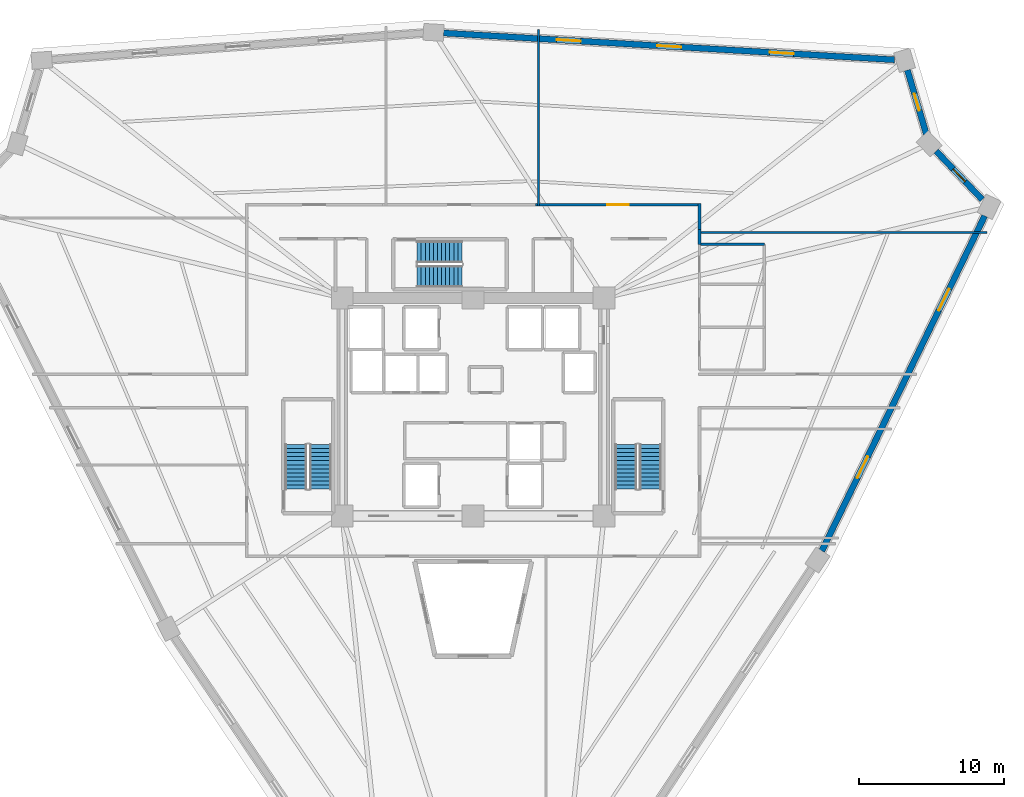
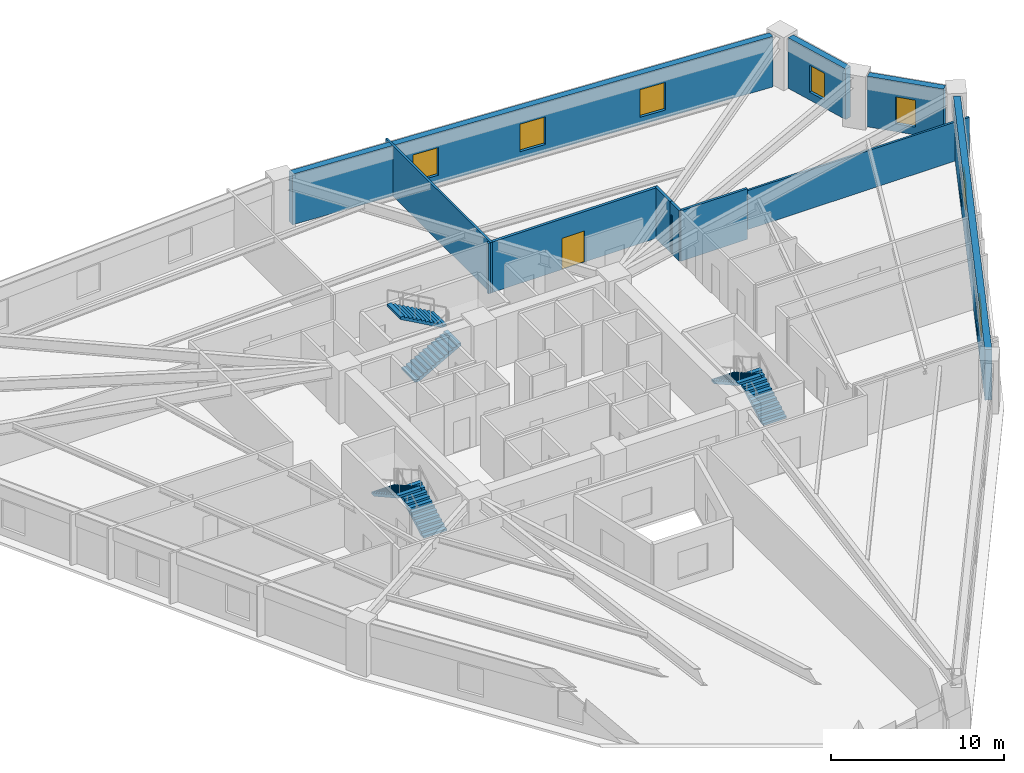
# One storey, part 7 of 8: 10 walls, 7 windows, 6 stair flights, 1 door, 8 openings, 3 elements without a shape of their own.
"""IFC4 building model written with IfcOpenShell, lengths in metres."""

from ifc_helpers import new_model, si_unit, direction, frame, frame_2d, origin, place, context, subcontext, project, spatial, polyline, rectangle, outline, extrude, source, transform, mapped, material, layer, layer_set, type_object, element, fill, aggregate, save


model = new_model("IFC4")

# Units and contexts
model_context = context("Model", 3, precision=1e-05, world=origin(), true_north=direction((0.0, 1.0)))
body_context = subcontext(model_context, "Body", "Model", "MODEL_VIEW")
ifc_project = project(units=[si_unit("LENGTHUNIT", "METRE"), si_unit("AREAUNIT", "SQUARE_METRE"), si_unit("VOLUMEUNIT", "CUBIC_METRE"), si_unit("PLANEANGLEUNIT", "RADIAN"), si_unit("MASSUNIT", "GRAM", prefix="KILO")], contexts=[model_context])

# Site, building, storey
site_placement = place(None, origin())
site = spatial("IfcSite", under=ifc_project, at=site_placement, CompositionType="ELEMENT")
building_placement = place(site_placement, origin())
building = spatial("IfcBuilding", under=site, at=building_placement, Name="Liaohun Quay Tower", CompositionType="ELEMENT")
storey_placement = place(building_placement, frame((0.0, 0.0, 147.75)))
storey = spatial("IfcBuildingStorey", under=building, at=storey_placement, Name="L38", CompositionType="ELEMENT", Elevation=147.75)

# Wall, openings, windows
ifc_material_1 = material(Name="Precast concrete C50 insulated sandwich", Category="concrete")
ifc_layer_1 = layer(ifc_material_1, 0.419921875, Name="Precast concrete C50 insulated sandwich", Category="concrete")
ifc_layer_set_1 = layer_set([ifc_layer_1], Name="Precast concrete C50 insulated sandwich")
wall_type_1 = type_object("IfcWallType", Name="WAL-EXT-Z12", PredefinedType="SOLIDWALL", material=ifc_layer_set_1)
wall_1_placement = place(storey_placement, frame((83.968017578125, 44.10205078125, 0.0), z_axis=(0.0, 0.0, 1.0), x_axis=(0.437237241279, 0.899346204105, 0.0)))
wall_1 = element("IfcWall", 1, at=wall_1_placement, inside=storey, type_object=wall_type_1, Name="L38 Brutalist Precast Pier Wall 03", PredefinedType="SOLIDWALL", context=body_context, shape_type="SweptSolid", body=[
    extrude(rectangle(XDim=25.61962890625, YDim=0.419921875, at=frame_2d((12.809814453125, 0.0))), origin(), (0.0, 0.0, 1.0), 3.570068359375),
])
shared_shape_1 = source(origin(), body_context, "Body", "SweptSolid", [
    extrude(rectangle(XDim=1.64990234375, YDim=1.949951171875, at=frame_2d((0.824951171875, 0.97509765625))), frame((0.0, 0.219970703125, 0.0), z_axis=(0.0, -1.0, 0.0), x_axis=(1.0, 0.0, 0.0)), (0.0, 0.0, 1.0), 0.43994140625),
])
opening_1_placement = place(wall_1_placement, frame((5.580078125, 0.0, 0.550048828125)))
opening_1 = element("IfcOpeningElement", 2, at=opening_1_placement, cuts=wall_1, Name="Opening W02", PredefinedType="OPENING", context=body_context, shape_type="MappedRepresentation", body=[
    mapped(shared_shape_1, transform((0.0, 0.0, 0.0), x_axis=(1.0, 0.0, 0.0), y_axis=(0.0, 1.0, 0.0), z_axis=(0.0, 0.0, 1.0), scale=1.0)),
])
opening_2_placement = place(wall_1_placement, frame((18.389892578125, 0.0, 0.550048828125)))
opening_2 = element("IfcOpeningElement", 3, at=opening_2_placement, cuts=wall_1, Name="Opening W02", PredefinedType="OPENING", context=body_context, shape_type="MappedRepresentation", body=[
    mapped(shared_shape_1, transform((0.0, 0.0, 0.0), x_axis=(1.0, 0.0, 0.0), y_axis=(0.0, 1.0, 0.0), z_axis=(0.0, 0.0, 1.0), scale=1.0)),
])
ifc_material_2 = material(Name="Triple Low-E argon glazing in thermally broken aluminium", Category="aluminium")
window_type_1 = type_object("IfcWindowType", Name="WIN-PUN-Z2", PartitioningType="DOUBLE_PANEL_VERTICAL", PredefinedType="WINDOW", material=ifc_material_2)
shared_shape_2 = source(origin(), body_context, "Body", "SweptSolid", [
    extrude(rectangle(XDim=1.64990234375, YDim=1.949951171875, at=frame_2d((0.824951171875, 0.97509765625))), frame((0.0, 0.030029296875, 0.0), z_axis=(0.0, -1.0, 0.0), x_axis=(1.0, 0.0, 0.0)), (0.0, 0.0, 1.0), 0.06005859375),
])
window_1_placement = place(opening_1_placement, origin())
window_1 = element("IfcWindow", 4, at=window_1_placement, inside=storey, type_object=window_type_1, Name="L38 Recessed Cold-Climate Punched Window 03-1", OverallHeight=1.949951171875, OverallWidth=1.64990234375, PartitioningType="DOUBLE_PANEL_VERTICAL", PredefinedType="WINDOW", context=body_context, shape_type="MappedRepresentation", body=[
    mapped(shared_shape_2, transform((0.0, 0.0, 0.0), x_axis=(1.0, 0.0, 0.0), y_axis=(0.0, 1.0, 0.0), z_axis=(0.0, 0.0, 1.0), scale=1.0)),
])
fill(opening_1, window_1)
window_2_placement = place(opening_2_placement, origin())
window_2 = element("IfcWindow", 5, at=window_2_placement, inside=storey, type_object=window_type_1, Name="L38 Recessed Cold-Climate Punched Window 03-3", OverallHeight=1.949951171875, OverallWidth=1.64990234375, PartitioningType="DOUBLE_PANEL_VERTICAL", PredefinedType="WINDOW", context=body_context, shape_type="MappedRepresentation", body=[
    mapped(shared_shape_2, transform((0.0, 0.0, 0.0), x_axis=(1.0, 0.0, 0.0), y_axis=(0.0, 1.0, 0.0), z_axis=(0.0, 0.0, 1.0), scale=1.0)),
])
fill(opening_2, window_2)

# Wall, opening, window
wall_2_placement = place(storey_placement, frame((94.99609375, 68.263916015625, 0.0), z_axis=(0.0, 0.0, 1.0), x_axis=(-0.689168939428, 0.724600698956, 0.0)))
wall_2 = element("IfcWall", 6, at=wall_2_placement, inside=storey, type_object=wall_type_1, Name="L38 Brutalist Precast Pier Wall 04", PredefinedType="SOLIDWALL", context=body_context, shape_type="SweptSolid", body=[
    extrude(rectangle(XDim=4.602783203125, YDim=0.419921875, at=frame_2d((2.30126953125, 0.0))), origin(), (0.0, 0.0, 1.0), 3.570068359375),
])
shared_shape_3 = source(origin(), body_context, "Body", "SweptSolid", [
    extrude(rectangle(XDim=1.199951171875, YDim=1.89990234375, at=frame_2d((0.60009765625, 0.949951171875))), frame((0.0, 0.219970703125, 0.0), z_axis=(0.0, -1.0, 0.0), x_axis=(1.0, 0.0, 0.0)), (0.0, 0.0, 1.0), 0.43994140625),
])
opening_3_placement = place(wall_2_placement, frame((1.700927734375, 0.0, 0.550048828125)))
opening_3 = element("IfcOpeningElement", 7, at=opening_3_placement, cuts=wall_2, Name="Opening W05", PredefinedType="OPENING", context=body_context, shape_type="MappedRepresentation", body=[
    mapped(shared_shape_3, transform((0.0, 0.0, 0.0), x_axis=(1.0, 0.0, 0.0), y_axis=(0.0, 1.0, 0.0), z_axis=(0.0, 0.0, 1.0), scale=1.0)),
])
ifc_material_3 = material(Name="Triple Low-E corner notch glazing", Category="glass")
window_type_2 = type_object("IfcWindowType", Name="WIN-NOTCH", PartitioningType="SINGLE_PANEL", PredefinedType="WINDOW", material=ifc_material_3)
shared_shape_4 = source(origin(), body_context, "Body", "SweptSolid", [
    extrude(rectangle(XDim=1.199951171875, YDim=1.89990234375, at=frame_2d((0.60009765625, 0.949951171875))), frame((0.0, 0.030029296875, 0.0), z_axis=(0.0, -1.0, 0.0), x_axis=(1.0, 0.0, 0.0)), (0.0, 0.0, 1.0), 0.06005859375),
])
window_3_placement = place(opening_3_placement, origin())
window_3 = element("IfcWindow", 8, at=window_3_placement, inside=storey, type_object=window_type_2, Name="L38 Corner Notch Window W05-04", OverallHeight=1.89990234375, OverallWidth=1.199951171875, PartitioningType="SINGLE_PANEL", PredefinedType="WINDOW", context=body_context, shape_type="MappedRepresentation", body=[
    mapped(shared_shape_4, transform((0.0, 0.0, 0.0), x_axis=(1.0, 0.0, 0.0), y_axis=(0.0, 1.0, 0.0), z_axis=(0.0, 0.0, 1.0), scale=1.0)),
])
fill(opening_3, window_3)

wall_3_placement = place(storey_placement, frame((91.153076171875, 72.760986328125, 0.0), z_axis=(0.0, 0.0, 1.0), x_axis=(-0.2829429476, 0.959136741244, 0.0)))
wall_3 = element("IfcWall", 9, at=wall_3_placement, inside=storey, type_object=wall_type_1, Name="L38 Brutalist Precast Pier Wall 05", PredefinedType="SOLIDWALL", context=body_context, shape_type="SweptSolid", body=[
    extrude(rectangle(XDim=4.5947265625, YDim=0.419921875, at=frame_2d((2.29736328125, 0.0))), origin(), (0.0, 0.0, 1.0), 3.570068359375),
])
opening_4_placement = place(wall_3_placement, frame((1.697021484375, 0.0, 0.550048828125)))
opening_4 = element("IfcOpeningElement", 10, at=opening_4_placement, cuts=wall_3, Name="Opening W05", PredefinedType="OPENING", context=body_context, shape_type="MappedRepresentation", body=[
    mapped(shared_shape_3, transform((0.0, 0.0, 0.0), x_axis=(1.0, 0.0, 0.0), y_axis=(0.0, 1.0, 0.0), z_axis=(0.0, 0.0, 1.0), scale=1.0)),
])
window_4_placement = place(opening_4_placement, origin())
window_4 = element("IfcWindow", 11, at=window_4_placement, inside=storey, type_object=window_type_2, Name="L38 Corner Notch Window W05-05", OverallHeight=1.89990234375, OverallWidth=1.199951171875, PartitioningType="SINGLE_PANEL", PredefinedType="WINDOW", context=body_context, shape_type="MappedRepresentation", body=[
    mapped(shared_shape_4, transform((0.0, 0.0, 0.0), x_axis=(1.0, 0.0, 0.0), y_axis=(0.0, 1.0, 0.0), z_axis=(0.0, 0.0, 1.0), scale=1.0)),
])
fill(opening_4, window_4)

# Wall, openings, windows
wall_4_placement = place(storey_placement, frame((88.968994140625, 77.87109375, 0.0), z_axis=(0.0, 0.0, 1.0), x_axis=(-0.998239939478, 0.059304495869, 0.0)))
wall_4 = element("IfcWall", 12, at=wall_4_placement, inside=storey, type_object=wall_type_1, Name="L38 Brutalist Precast Pier Wall 06", PredefinedType="SOLIDWALL", context=body_context, shape_type="SweptSolid", body=[
    extrude(rectangle(XDim=31.056640625, YDim=0.419921875, at=frame_2d((15.5283203125, 0.0))), origin(), (0.0, 0.0, 1.0), 3.570068359375),
])
opening_5_placement = place(wall_4_placement, frame((6.93896484375, 0.0, 0.550048828125)))
opening_5 = element("IfcOpeningElement", 13, at=opening_5_placement, cuts=wall_4, Name="Opening W02", PredefinedType="OPENING", context=body_context, shape_type="MappedRepresentation", body=[
    mapped(shared_shape_1, transform((0.0, 0.0, 0.0), x_axis=(1.0, 0.0, 0.0), y_axis=(0.0, 1.0, 0.0), z_axis=(0.0, 0.0, 1.0), scale=1.0)),
])
opening_6_placement = place(wall_4_placement, frame((14.702880859375, 0.0, 0.550048828125)))
opening_6 = element("IfcOpeningElement", 14, at=opening_6_placement, cuts=wall_4, Name="Opening W02", PredefinedType="OPENING", context=body_context, shape_type="MappedRepresentation", body=[
    mapped(shared_shape_1, transform((0.0, 0.0, 0.0), x_axis=(1.0, 0.0, 0.0), y_axis=(0.0, 1.0, 0.0), z_axis=(0.0, 0.0, 1.0), scale=1.0)),
])
opening_7_placement = place(wall_4_placement, frame((21.617919921875, 0.0, 0.550048828125)))
opening_7 = element("IfcOpeningElement", 15, at=opening_7_placement, cuts=wall_4, Name="Opening W02", PredefinedType="OPENING", context=body_context, shape_type="MappedRepresentation", body=[
    mapped(shared_shape_1, transform((0.0, 0.0, 0.0), x_axis=(1.0, 0.0, 0.0), y_axis=(0.0, 1.0, 0.0), z_axis=(0.0, 0.0, 1.0), scale=1.0)),
])
window_5_placement = place(opening_5_placement, origin())
window_5 = element("IfcWindow", 16, at=window_5_placement, inside=storey, type_object=window_type_1, Name="L38 Recessed Cold-Climate Punched Window 06-1", OverallHeight=1.949951171875, OverallWidth=1.64990234375, PartitioningType="DOUBLE_PANEL_VERTICAL", PredefinedType="WINDOW", context=body_context, shape_type="MappedRepresentation", body=[
    mapped(shared_shape_2, transform((0.0, 0.0, 0.0), x_axis=(1.0, 0.0, 0.0), y_axis=(0.0, 1.0, 0.0), z_axis=(0.0, 0.0, 1.0), scale=1.0)),
])
fill(opening_5, window_5)
window_6_placement = place(opening_6_placement, origin())
window_6 = element("IfcWindow", 17, at=window_6_placement, inside=storey, type_object=window_type_1, Name="L38 Recessed Cold-Climate Punched Window 06-2", OverallHeight=1.949951171875, OverallWidth=1.64990234375, PartitioningType="DOUBLE_PANEL_VERTICAL", PredefinedType="WINDOW", context=body_context, shape_type="MappedRepresentation", body=[
    mapped(shared_shape_2, transform((0.0, 0.0, 0.0), x_axis=(1.0, 0.0, 0.0), y_axis=(0.0, 1.0, 0.0), z_axis=(0.0, 0.0, 1.0), scale=1.0)),
])
fill(opening_6, window_6)
window_7_placement = place(opening_7_placement, origin())
window_7 = element("IfcWindow", 18, at=window_7_placement, inside=storey, type_object=window_type_1, Name="L38 Recessed Cold-Climate Punched Window 06-3", OverallHeight=1.949951171875, OverallWidth=1.64990234375, PartitioningType="DOUBLE_PANEL_VERTICAL", PredefinedType="WINDOW", context=body_context, shape_type="MappedRepresentation", body=[
    mapped(shared_shape_2, transform((0.0, 0.0, 0.0), x_axis=(1.0, 0.0, 0.0), y_axis=(0.0, 1.0, 0.0), z_axis=(0.0, 0.0, 1.0), scale=1.0)),
])
fill(opening_7, window_7)

# Wall, opening, door
ifc_material_4 = material(Name="Autoclaved aerated concrete blockwork", Category="masonry")
ifc_layer_2 = layer(ifc_material_4, 0.179931640625, Name="Autoclaved aerated concrete blockwork", Category="masonry")
ifc_layer_set_2 = layer_set([ifc_layer_2], Name="Autoclaved aerated concrete blockwork")
wall_type_2 = type_object("IfcWallType", Name="WAL-PRT-COR", PredefinedType="PARTITIONING", material=ifc_layer_set_2)
wall_5_placement = place(storey_placement, frame((64.284912109375, 67.909912109375, 0.0), z_axis=(0.0, 0.0, 1.0), x_axis=(1.0, 0.0, 0.0)))
wall_5 = element("IfcWall", 19, at=wall_5_placement, inside=storey, type_object=wall_type_2, Name="L38 Interior Partition Wall 012", PredefinedType="PARTITIONING", context=body_context, shape_type="SweptSolid", body=[
    extrude(rectangle(XDim=11.344970703125, YDim=0.179931640625, at=frame_2d((5.67236328125, 0.0))), origin(), (0.0, 0.0, 1.0), 3.570068359375),
])
shared_shape_5 = source(origin(), body_context, "Body", "SweptSolid", [
    extrude(rectangle(XDim=1.5, YDim=2.199951171875, at=frame_2d((0.75, 1.10009765625))), frame((0.0, 0.099853515625, 0.0), z_axis=(0.0, -1.0, 0.0), x_axis=(1.0, 0.0, 0.0)), (0.0, 0.0, 1.0), 0.199951171875),
])
opening_8_placement = place(wall_5_placement, frame((4.922119140625, 0.0, 0.0)))
opening_8 = element("IfcOpeningElement", 20, at=opening_8_placement, cuts=wall_5, Name="Opening OD2", PredefinedType="OPENING", context=body_context, shape_type="MappedRepresentation", body=[
    mapped(shared_shape_5, transform((0.0, 0.0, 0.0), x_axis=(1.0, 0.0, 0.0), y_axis=(0.0, 1.0, 0.0), z_axis=(0.0, 0.0, 1.0), scale=1.0)),
])
ifc_material_5 = material(Name="Acoustic oak veneer double door")
door_type = type_object("IfcDoorType", Name="DOR-OFF-1500", OperationType="DOUBLE_DOOR_SINGLE_SWING", PredefinedType="DOOR", material=ifc_material_5)
shared_shape_6 = source(origin(), body_context, "Body", "SweptSolid", [
    extrude(rectangle(XDim=1.5, YDim=2.199951171875, at=frame_2d((0.75, 1.10009765625))), frame((0.0, 0.02490234375, 0.0), z_axis=(0.0, -1.0, 0.0), x_axis=(1.0, 0.0, 0.0)), (0.0, 0.0, 1.0), 0.050048828125),
])
door_placement = place(opening_8_placement, origin())
door = element("IfcDoor", 21, at=door_placement, inside=storey, type_object=door_type, Name="L38 Occupational Wellness Clinic 02 Door", OperationType="DOUBLE_DOOR_SINGLE_SWING", OverallHeight=2.199951171875, OverallWidth=1.5, PredefinedType="DOOR", context=body_context, shape_type="MappedRepresentation", body=[
    mapped(shared_shape_6, transform((0.0, 0.0, 0.0), x_axis=(1.0, 0.0, 0.0), y_axis=(0.0, 1.0, 0.0), z_axis=(0.0, 0.0, 1.0), scale=1.0)),
])
fill(opening_8, door)

# Walls
wall_6_placement = place(storey_placement, frame((75.56005859375, 66.215087890625, 0.0), z_axis=(0.0, 0.0, 1.0), x_axis=(0.0, -1.0, 0.0)))
element("IfcWall", 22, at=wall_6_placement, inside=storey, type_object=wall_type_2, Name="L38 Interior Partition Wall 036", PredefinedType="PARTITIONING", context=body_context, shape_type="SweptSolid", body=[
    extrude(rectangle(XDim=1.03515625, YDim=0.179931640625, at=frame_2d((0.517578125, 0.0))), origin(), (0.0, 0.0, 1.0), 3.570068359375),
])
wall_7_placement = place(storey_placement, frame((75.56005859375, 67.97998046875, 0.0), z_axis=(0.0, 0.0, 1.0), x_axis=(0.0, -1.0, 0.0)))
element("IfcWall", 23, at=wall_7_placement, inside=storey, type_object=wall_type_2, Name="L38 Interior Partition Wall 037", PredefinedType="PARTITIONING", context=body_context, shape_type="SweptSolid", body=[
    extrude(rectangle(XDim=1.764892578125, YDim=0.179931640625, at=frame_2d((0.88232421875, 0.0))), origin(), (0.0, 0.0, 1.0), 3.570068359375),
])
ifc_material_6 = material(Name="Gypsum board on twin steel studs", Category="steel")
ifc_layer_3 = layer(ifc_material_6, 0.139892578125, Name="Gypsum board on twin steel studs", Category="steel")
ifc_layer_set_3 = layer_set([ifc_layer_3], Name="Gypsum board on twin steel studs")
wall_type_3 = type_object("IfcWallType", Name="WAL-PRT-OFF", PredefinedType="PARTITIONING", material=ifc_layer_set_3)
wall_8_placement = place(storey_placement, frame((75.4599609375, 66.0, 0.0), z_axis=(0.0, 0.0, 1.0), x_axis=(1.0, 0.0, 0.0)))
element("IfcWall", 24, at=wall_8_placement, inside=storey, type_object=wall_type_3, Name="L38 Interior Partition Wall 050", PredefinedType="PARTITIONING", context=body_context, shape_type="SweptSolid", body=[
    extrude(rectangle(XDim=19.85400390625, YDim=0.139892578125, at=frame_2d((9.927001953125, 0.0))), origin(), (0.0, 0.0, 1.0), 2.7548828125),
])
wall_9_placement = place(storey_placement, frame((64.5, 67.81005859375, 0.0), z_axis=(0.0, 0.0, 1.0), x_axis=(0.0, 1.0, 0.0)))
element("IfcWall", 25, at=wall_9_placement, inside=storey, type_object=wall_type_3, Name="L38 Interior Partition Wall 052", PredefinedType="PARTITIONING", context=body_context, shape_type="SweptSolid", body=[
    extrude(rectangle(XDim=12.14599609375, YDim=0.139892578125, at=frame_2d((6.072998046875, 0.0))), origin(), (0.0, 0.0, 1.0), 3.570068359375),
])
ifc_material_7 = material(Name="Moisture-resistant masonry blockwork", Category="masonry")
ifc_layer_4 = layer(ifc_material_7, 0.159912109375, Name="Moisture-resistant masonry blockwork", Category="masonry")
ifc_layer_set_4 = layer_set([ifc_layer_4], Name="Moisture-resistant masonry blockwork")
wall_type_4 = type_object("IfcWallType", Name="WAL-PRT-WET", PredefinedType="PARTITIONING", material=ifc_layer_set_4)
wall_10_placement = place(storey_placement, frame((75.56005859375, 65.179931640625, 0.0), z_axis=(0.0, 0.0, 1.0), x_axis=(1.0, 0.0, 0.0)))
element("IfcWall", 26, at=wall_10_placement, inside=storey, type_object=wall_type_4, Name="L38 Interior Partition Wall 031", PredefinedType="PARTITIONING", context=body_context, shape_type="SweptSolid", body=[
    extrude(rectangle(XDim=4.4599609375, YDim=0.159912109375, at=frame_2d((2.22998046875, 0.0))), origin(), (0.0, 0.0, 1.0), 3.570068359375),
])

# Stair, stair flights
ifc_material_8 = material(Name="Concrete C45", Category="concrete")
stair_type = type_object("IfcStairType", Name="STR-CORE-OFF", PredefinedType="HALF_TURN_STAIR", material=ifc_material_8)
stair_1_placement = place(storey_placement, origin())
stair_1 = element("IfcStair", 27, at=stair_1_placement, inside=storey, type_object=stair_type, Name="L38 Smokeproof Core Exit Stair ST-1", PredefinedType="HALF_TURN_STAIR")
stair_flight_type = type_object("IfcStairFlightType", Name="FLT-CORE-155", PredefinedType="STRAIGHT", material=ifc_material_8)
stair_flight_1_placement = place(storey_placement, frame((49.5048828125, 48.35009765625, 0.0), z_axis=(0.0, 0.0, 1.0), x_axis=(0.0, 1.0, 0.0)))
stair_flight_1 = element("IfcStairFlight", 28, at=stair_flight_1_placement, type_object=stair_flight_type, Name="ST-1 flight 1", NumberOfRisers=12, NumberOfTreads=11, PredefinedType="STRAIGHT", RiserHeight=0.15625, TreadLength=0.28, context=body_context, shape_type="SweptSolid", body=[
    extrude(outline(polyline([(0.0, 0.0), (0.0, 0.15625), (0.280029296875, 0.15625), (0.280029296875, 0.3125), (0.56005859375, 0.3125), (0.56005859375, 0.46875), (0.840087890625, 0.46875), (0.840087890625, 0.625), (1.1201171875, 0.625), (1.1201171875, 0.78125), (1.39990234375, 0.78125), (1.39990234375, 0.9375), (1.679931640625, 0.9375), (1.679931640625, 1.09375), (1.9599609375, 1.09375), (1.9599609375, 1.25), (2.239990234375, 1.25), (2.239990234375, 1.40625), (2.52001953125, 1.40625), (2.52001953125, 1.5625), (2.800048828125, 1.5625), (2.800048828125, 1.71875), (3.080078125, 1.71875), (3.080078125, 1.875), (3.080078125, 1.547119140625), (0.3076171875, 0.0), (0.0, 0.0)])), frame((0.0, 0.77490234375, 0.0), z_axis=(0.0, -1.0, 0.0), x_axis=(1.0, 0.0, 0.0)), (0.0, 0.0, 1.0), 1.550048828125),
])
stair_flight_2_placement = place(storey_placement, frame((47.81494140625, 51.429931640625, 1.875), z_axis=(0.0, 0.0, 1.0), x_axis=(0.0, -1.0, 0.0)))
stair_flight_2 = element("IfcStairFlight", 29, at=stair_flight_2_placement, type_object=stair_flight_type, Name="ST-1 flight 2", NumberOfRisers=12, NumberOfTreads=11, PredefinedType="STRAIGHT", RiserHeight=0.15625, TreadLength=0.28, context=body_context, shape_type="SweptSolid", body=[
    extrude(outline(polyline([(0.0, 0.0), (0.0, 0.15625), (0.280029296875, 0.15625), (0.280029296875, 0.3125), (0.56005859375, 0.3125), (0.56005859375, 0.46875), (0.840087890625, 0.46875), (0.840087890625, 0.625), (1.1201171875, 0.625), (1.1201171875, 0.78125), (1.39990234375, 0.78125), (1.39990234375, 0.9375), (1.679931640625, 0.9375), (1.679931640625, 1.09375), (1.9599609375, 1.09375), (1.9599609375, 1.25), (2.239990234375, 1.25), (2.239990234375, 1.40625), (2.52001953125, 1.40625), (2.52001953125, 1.5625), (2.800048828125, 1.5625), (2.800048828125, 1.71875), (3.080078125, 1.71875), (3.080078125, 1.875), (3.080078125, 1.547119140625), (0.3076171875, 0.0), (0.0, 0.0)])), frame((0.0, 0.77490234375, 0.0), z_axis=(0.0, -1.0, 0.0), x_axis=(1.0, 0.0, 0.0)), (0.0, 0.0, 1.0), 1.550048828125),
])
aggregate(stair_1, [stair_flight_1, stair_flight_2])

stair_2_placement = place(storey_placement, origin())
stair_2 = element("IfcStair", 30, at=stair_2_placement, inside=storey, type_object=stair_type, Name="L38 Smokeproof Core Exit Stair ST-2", PredefinedType="HALF_TURN_STAIR")
stair_flight_3_placement = place(storey_placement, frame((72.18505859375, 48.35009765625, 0.0), z_axis=(0.0, 0.0, 1.0), x_axis=(0.0, 1.0, 0.0)))
stair_flight_3 = element("IfcStairFlight", 31, at=stair_flight_3_placement, type_object=stair_flight_type, Name="ST-2 flight 1", NumberOfRisers=12, NumberOfTreads=11, PredefinedType="STRAIGHT", RiserHeight=0.15625, TreadLength=0.28, context=body_context, shape_type="SweptSolid", body=[
    extrude(outline(polyline([(0.0, 0.0), (0.0, 0.15625), (0.280029296875, 0.15625), (0.280029296875, 0.3125), (0.56005859375, 0.3125), (0.56005859375, 0.46875), (0.840087890625, 0.46875), (0.840087890625, 0.625), (1.1201171875, 0.625), (1.1201171875, 0.78125), (1.39990234375, 0.78125), (1.39990234375, 0.9375), (1.679931640625, 0.9375), (1.679931640625, 1.09375), (1.9599609375, 1.09375), (1.9599609375, 1.25), (2.239990234375, 1.25), (2.239990234375, 1.40625), (2.52001953125, 1.40625), (2.52001953125, 1.5625), (2.800048828125, 1.5625), (2.800048828125, 1.71875), (3.080078125, 1.71875), (3.080078125, 1.875), (3.080078125, 1.547119140625), (0.3076171875, 0.0), (0.0, 0.0)])), frame((0.0, 0.77490234375, 0.0), z_axis=(0.0, -1.0, 0.0), x_axis=(1.0, 0.0, 0.0)), (0.0, 0.0, 1.0), 1.550048828125),
])
stair_flight_4_placement = place(storey_placement, frame((70.4951171875, 51.429931640625, 1.875), z_axis=(0.0, 0.0, 1.0), x_axis=(0.0, -1.0, 0.0)))
stair_flight_4 = element("IfcStairFlight", 32, at=stair_flight_4_placement, type_object=stair_flight_type, Name="ST-2 flight 2", NumberOfRisers=12, NumberOfTreads=11, PredefinedType="STRAIGHT", RiserHeight=0.15625, TreadLength=0.28, context=body_context, shape_type="SweptSolid", body=[
    extrude(outline(polyline([(0.0, 0.0), (0.0, 0.15625), (0.280029296875, 0.15625), (0.280029296875, 0.3125), (0.56005859375, 0.3125), (0.56005859375, 0.46875), (0.840087890625, 0.46875), (0.840087890625, 0.625), (1.1201171875, 0.625), (1.1201171875, 0.78125), (1.39990234375, 0.78125), (1.39990234375, 0.9375), (1.679931640625, 0.9375), (1.679931640625, 1.09375), (1.9599609375, 1.09375), (1.9599609375, 1.25), (2.239990234375, 1.25), (2.239990234375, 1.40625), (2.52001953125, 1.40625), (2.52001953125, 1.5625), (2.800048828125, 1.5625), (2.800048828125, 1.71875), (3.080078125, 1.71875), (3.080078125, 1.875), (3.080078125, 1.547119140625), (0.3076171875, 0.0), (0.0, 0.0)])), frame((0.0, 0.77490234375, 0.0), z_axis=(0.0, -1.0, 0.0), x_axis=(1.0, 0.0, 0.0)), (0.0, 0.0, 1.0), 1.550048828125),
])
aggregate(stair_2, [stair_flight_3, stair_flight_4])

stair_3_placement = place(storey_placement, origin())
stair_3 = element("IfcStair", 33, at=stair_3_placement, inside=storey, type_object=stair_type, Name="L38 Smokeproof Core Exit Stair ST-3", PredefinedType="HALF_TURN_STAIR")
stair_flight_5_placement = place(storey_placement, frame((56.14990234375, 62.97509765625, 0.0), z_axis=(0.0, 0.0, 1.0), x_axis=(1.0, 0.0, 0.0)))
stair_flight_5 = element("IfcStairFlight", 34, at=stair_flight_5_placement, type_object=stair_flight_type, Name="ST-3 flight 1", NumberOfRisers=12, NumberOfTreads=11, PredefinedType="STRAIGHT", RiserHeight=0.15625, TreadLength=0.28, context=body_context, shape_type="SweptSolid", body=[
    extrude(outline(polyline([(0.0, 0.0), (0.0, 0.15625), (0.280029296875, 0.15625), (0.280029296875, 0.3125), (0.56005859375, 0.3125), (0.56005859375, 0.46875), (0.840087890625, 0.46875), (0.840087890625, 0.625), (1.1201171875, 0.625), (1.1201171875, 0.78125), (1.39990234375, 0.78125), (1.39990234375, 0.9375), (1.679931640625, 0.9375), (1.679931640625, 1.09375), (1.9599609375, 1.09375), (1.9599609375, 1.25), (2.239990234375, 1.25), (2.239990234375, 1.40625), (2.52001953125, 1.40625), (2.52001953125, 1.5625), (2.800048828125, 1.5625), (2.800048828125, 1.71875), (3.080078125, 1.71875), (3.080078125, 1.875), (3.080078125, 1.547119140625), (0.3076171875, 0.0), (0.0, 0.0)])), frame((0.0, 0.77490234375, 0.0), z_axis=(0.0, -1.0, 0.0), x_axis=(1.0, 0.0, 0.0)), (0.0, 0.0, 1.0), 1.550048828125),
])
stair_flight_6_placement = place(storey_placement, frame((59.22998046875, 64.6650390625, 1.875), z_axis=(0.0, 0.0, 1.0), x_axis=(-1.0, 0.0, 0.0)))
stair_flight_6 = element("IfcStairFlight", 35, at=stair_flight_6_placement, type_object=stair_flight_type, Name="ST-3 flight 2", NumberOfRisers=12, NumberOfTreads=11, PredefinedType="STRAIGHT", RiserHeight=0.15625, TreadLength=0.28, context=body_context, shape_type="SweptSolid", body=[
    extrude(outline(polyline([(0.0, 0.0), (0.0, 0.15625), (0.280029296875, 0.15625), (0.280029296875, 0.3125), (0.56005859375, 0.3125), (0.56005859375, 0.46875), (0.840087890625, 0.46875), (0.840087890625, 0.625), (1.1201171875, 0.625), (1.1201171875, 0.78125), (1.39990234375, 0.78125), (1.39990234375, 0.9375), (1.679931640625, 0.9375), (1.679931640625, 1.09375), (1.9599609375, 1.09375), (1.9599609375, 1.25), (2.239990234375, 1.25), (2.239990234375, 1.40625), (2.52001953125, 1.40625), (2.52001953125, 1.5625), (2.800048828125, 1.5625), (2.800048828125, 1.71875), (3.080078125, 1.71875), (3.080078125, 1.875), (3.080078125, 1.547119140625), (0.3076171875, 0.0), (0.0, 0.0)])), frame((0.0, 0.77490234375, 0.0), z_axis=(0.0, -1.0, 0.0), x_axis=(1.0, 0.0, 0.0)), (0.0, 0.0, 1.0), 1.550048828125),
])
aggregate(stair_3, [stair_flight_5, stair_flight_6])

save(model, "model.ifc")
